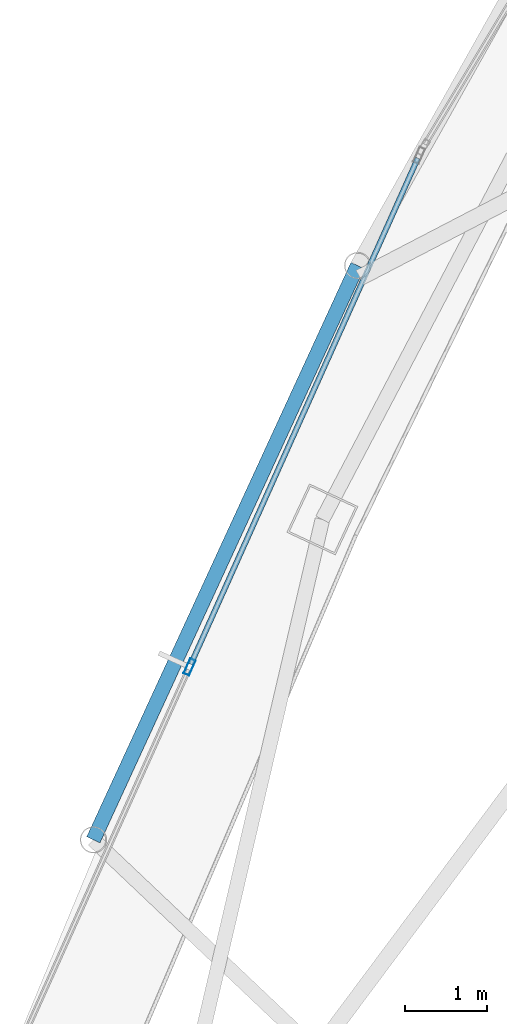
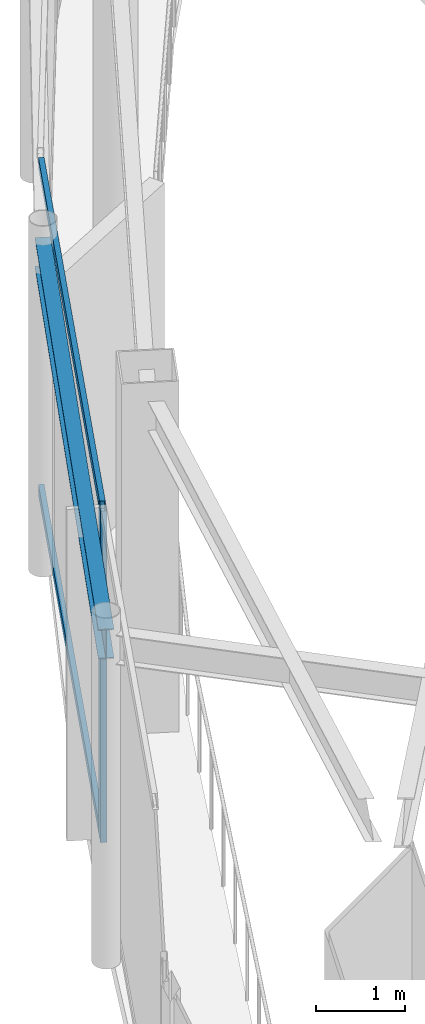
# One storey, part 4 of 18: 3 members, 1 beam, 1 element without a shape of its own.
"""IFC4 building model written with IfcOpenShell, lengths in metres."""

from ifc_helpers import new_model, si_unit, direction, frame, origin, origin_2d, place, context, subcontext, project, spatial, hollow_rectangle, i_section, extrude, material, layer, layer_set, material_profile, profile_set, type_object, element, aggregate, save


model = new_model("IFC4")

# Units and contexts
model_context = context("Model", 3, precision=1e-05, world=origin(), true_north=direction((0.0, 1.0)))
body_context = subcontext(model_context, "Body", "Model", "MODEL_VIEW")
ifc_project = project(units=[si_unit("LENGTHUNIT", "METRE"), si_unit("AREAUNIT", "SQUARE_METRE"), si_unit("VOLUMEUNIT", "CUBIC_METRE"), si_unit("PLANEANGLEUNIT", "RADIAN"), si_unit("MASSUNIT", "GRAM", prefix="KILO")], contexts=[model_context])

# Site, building, storey
site_placement = place(None, origin())
site = spatial("IfcSite", under=ifc_project, at=site_placement, CompositionType="ELEMENT")
building_placement = place(site_placement, origin())
building = spatial("IfcBuilding", under=site, at=building_placement, Name="Orvanel Arch Residences", CompositionType="ELEMENT")
storey_placement = place(building_placement, frame((0.0, 0.0, 310.10009765625)))
storey = spatial("IfcBuildingStorey", under=building, at=storey_placement, Name="L86", CompositionType="ELEMENT", Elevation=310.10009765625)

# Curtain wall, member
ifc_material_1 = material(Name="Bronze-anodised aluminium AA6063-T6", Category="aluminium")
ifc_layer = layer(ifc_material_1, 0.2099609375)
ifc_layer_set = layer_set([ifc_layer], Name="Bronze-anodised aluminium AA6063-T6")
curtain_wall_type = type_object("IfcCurtainWallType", Name="CW7-TOP-SYS", PredefinedType="NOTDEFINED", material=ifc_layer_set)
curtain_wall_placement = place(storey_placement, origin())
curtain_wall = element("IfcCurtainWall", 1, at=curtain_wall_placement, inside=storey, type_object=curtain_wall_type, Name="L86 CW7-TOP-SYS Unitised Curtain Wall", PredefinedType="NOTDEFINED")
ifc_material_profile_1 = material_profile(ifc_material_1, hollow_rectangle(XDim=0.074951171875, YDim=0.199951171875, WallThickness=0.0048828125, at=origin_2d()), Name="ALU200x75x5")
ifc_profile_set_1 = profile_set([ifc_material_profile_1], Name="Bronze-anodised aluminium AA6063-T6")
member_type_1 = type_object("IfcMemberType", Name="MUL-200x75", PredefinedType="MULLION", material=ifc_profile_set_1)
member_1_placement = place(storey_placement, frame((14.75, 17.845947265625, 0.0), z_axis=(0.0, 0.0, 1.0), x_axis=(0.912376147447, -0.40935286193, 0.0)))
member_1 = element("IfcMember", 2, at=member_1_placement, type_object=member_type_1, Name="CW-S7 mullion 2", PredefinedType="MULLION", context=body_context, shape_type="SweptSolid", body=[
    extrude(hollow_rectangle(XDim=0.074951171875, YDim=0.199951171875, WallThickness=0.0048828125, at=origin_2d()), origin(), (0.0, 0.0, 1.0), 4.539794921875),
])

# Beam
ifc_material_2 = material(Name="Structural steel AS/NZS 3679.1 Grade 300 (300 MPa)", Category="steel")
ifc_material_profile_2 = material_profile(ifc_material_2, i_section(OverallWidth=0.177978515625, OverallDepth=0.406005859375, WebThickness=0.0078125, FlangeThickness=0.0126953125, at=origin_2d()), Name="410UB59.7")
ifc_profile_set_2 = profile_set([ifc_material_profile_2], Name="Structural steel AS/NZS 3679.1 Grade 300 (300 MPa)")
beam_type = type_object("IfcBeamType", Name="OB-410UB-EXT", PredefinedType="SPANDREL", material=ifc_profile_set_2)
beam_placement = place(storey_placement, frame((16.794921875, 22.73388671875, 4.3369140625), z_axis=(-0.417937545069, -0.908475761054, 0.0), x_axis=(0.908475761054, -0.417937545069, 0.0)))
element("IfcBeam", 3, at=beam_placement, inside=storey, type_object=beam_type, Name="L86 Outer Perimeter Floor Ring Beam 03", PredefinedType="SPANDREL", context=body_context, shape_type="SweptSolid", body=[
    extrude(i_section(OverallWidth=0.177978515625, OverallDepth=0.406005859375, WebThickness=0.0078125, FlangeThickness=0.0126953125, at=origin_2d()), origin(), (0.0, 0.0, 1.0), 7.697509765625),
])

# Member
ifc_material_profile_3 = material_profile(ifc_material_1, hollow_rectangle(XDim=0.06494140625, YDim=0.14990234375, WallThickness=0.00390625, at=origin_2d()), Name="ALU150x65x4")
ifc_profile_set_3 = profile_set([ifc_material_profile_3], Name="Bronze-anodised aluminium AA6063-T6")
member_type_2 = type_object("IfcMemberType", Name="TRN-150x65", PredefinedType="USERDEFINED", material=ifc_profile_set_3)
member_2_placement = place(storey_placement, frame((17.529296875, 24.04052734375, 0.032470703125), z_axis=(-0.409346580659, -0.912378965618, 0.0), x_axis=(0.912378965618, -0.409346580659, 0.0)))
member_2 = element("IfcMember", 4, at=member_2_placement, type_object=member_type_2, Name="CW-S7 transom 1.1", ObjectType="TRANSOM", PredefinedType="USERDEFINED", context=body_context, shape_type="SweptSolid", body=[
    extrude(hollow_rectangle(XDim=0.06494140625, YDim=0.14990234375, WallThickness=0.00390625, at=origin_2d()), origin(), (0.0, 0.0, 1.0), 6.751953125),
])

member_3_placement = place(storey_placement, frame((17.529296875, 24.04052734375, 4.50732421875), z_axis=(-0.409346580659, -0.912378965618, 0.0), x_axis=(0.912378965618, -0.409346580659, 0.0)))
member_3 = element("IfcMember", 5, at=member_3_placement, type_object=member_type_2, Name="CW-S7 transom 1.2", ObjectType="TRANSOM", PredefinedType="USERDEFINED", context=body_context, shape_type="SweptSolid", body=[
    extrude(hollow_rectangle(XDim=0.06494140625, YDim=0.14990234375, WallThickness=0.00390625, at=origin_2d()), origin(), (0.0, 0.0, 1.0), 6.751953125),
])

aggregate(curtain_wall, [member_1, member_2, member_3])

save(model, "model.ifc")
